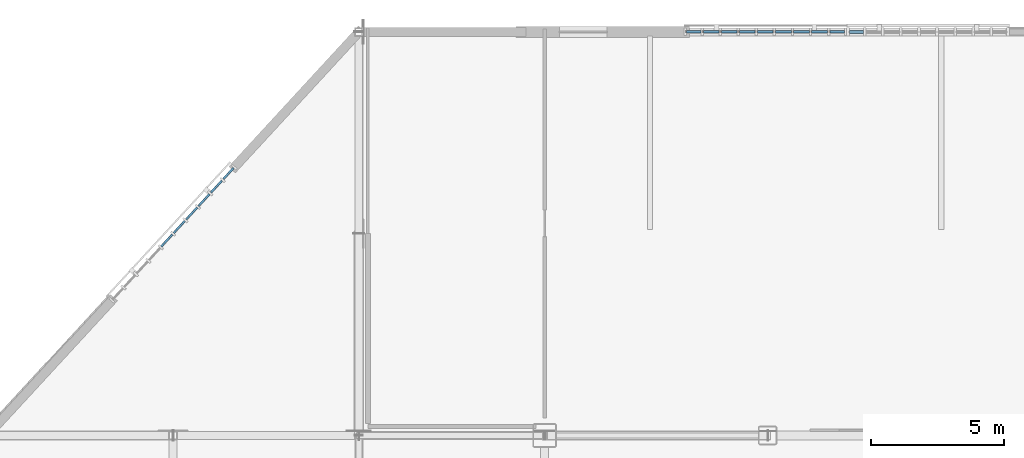
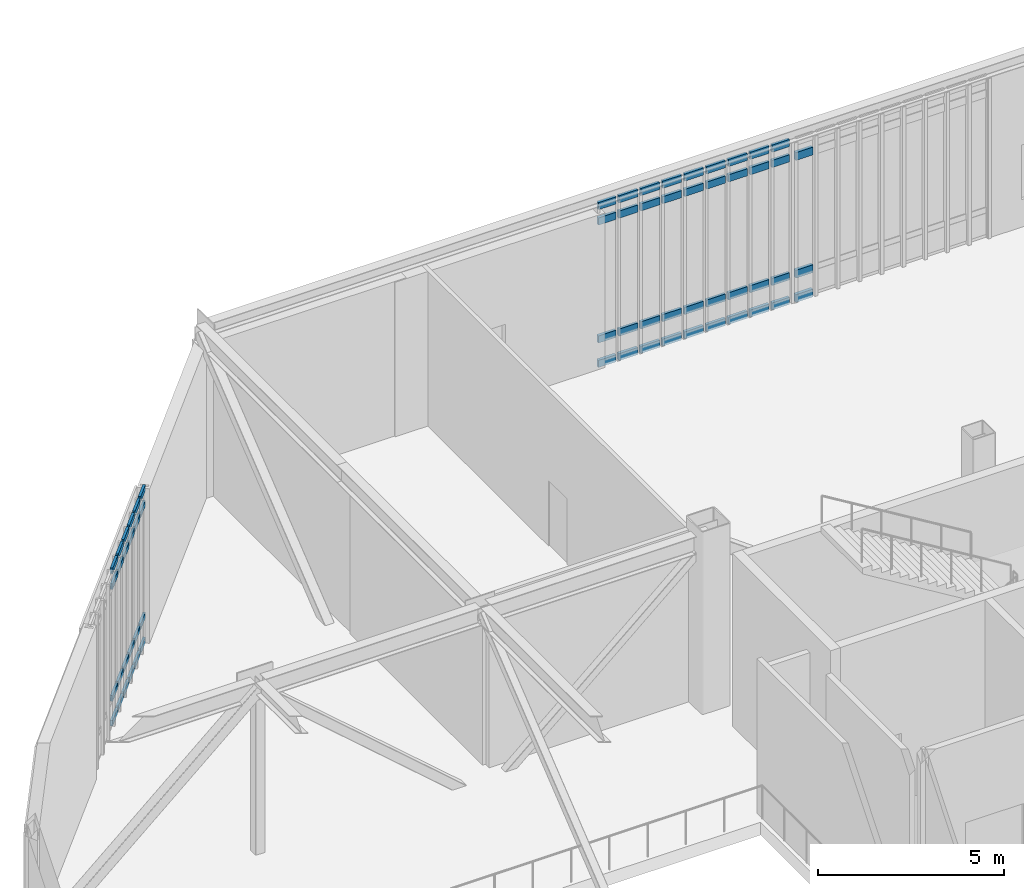
# One storey, part 54 of 135: 63 members, 3 elements without a shape of their own.
"""IFC4 building model written with IfcOpenShell, lengths in metres."""

from ifc_helpers import new_model, si_unit, direction, frame, origin, origin_2d, place, context, subcontext, project, spatial, rectangle, extrude, material, material_profile, profile_set, type_object, element, aggregate, save


model = new_model("IFC4")

# Units and contexts
model_context = context("Model", 3, precision=1e-05, world=origin(), true_north=direction((0.0, 1.0)))
body_context = subcontext(model_context, "Body", "Model", "MODEL_VIEW")
ifc_project = project(units=[si_unit("LENGTHUNIT", "METRE"), si_unit("AREAUNIT", "SQUARE_METRE"), si_unit("VOLUMEUNIT", "CUBIC_METRE"), si_unit("PLANEANGLEUNIT", "RADIAN"), si_unit("MASSUNIT", "GRAM", prefix="KILO")], contexts=[model_context])

# Site, building, storey
site_placement = place(None, origin())
site = spatial("IfcSite", under=ifc_project, at=site_placement, CompositionType="ELEMENT")
building_placement = place(site_placement, origin())
building = spatial("IfcBuilding", under=site, at=building_placement, Name="Larkvane Passage Sports Hall", CompositionType="ELEMENT")
storey_placement = place(building_placement, frame((0.0, 0.0, 10.800048828125)))
storey = spatial("IfcBuildingStorey", under=building, at=storey_placement, Name="L02", CompositionType="ELEMENT", Elevation=10.800048828125)

# Curtain wall, members
ifc_material_1 = material(Name="Thermally broken aluminium and low-E glazing", Category="aluminium")
curtain_wall_type_1 = type_object("IfcCurtainWallType", Name="CW-CLINIC", PredefinedType="USERDEFINED", material=ifc_material_1)
curtain_wall_1_placement = place(storey_placement, origin())
curtain_wall_1 = element("IfcCurtainWall", 1, at=curtain_wall_1_placement, inside=storey, type_object=curtain_wall_type_1, Name="Curtain wall CW5-L02-099", ObjectType="UNITISED CURTAIN WALL", PredefinedType="USERDEFINED")
ifc_material_2 = material(Name="Anodised aluminium 6063-T6", Category="aluminium")
ifc_material_profile_1 = material_profile(ifc_material_2, rectangle(XDim=0.10009765625, YDim=0.260009765625, at=origin_2d()), Name="ALU-TRN-100x260")
ifc_profile_set_1 = profile_set([ifc_material_profile_1], Name="Anodised aluminium 6063-T6")
member_type_1 = type_object("IfcMemberType", Name="CW-TRN-100x260", PredefinedType="USERDEFINED", material=ifc_profile_set_1)
member_1_placement = place(storey_placement, frame((46.27490234375, 106.800048828125, 0.050048828125), z_axis=(1.0, 0.0, 0.0), x_axis=(0.0, 1.0, 0.0)))
member_1 = element("IfcMember", 2, at=member_1_placement, type_object=member_type_1, Name="CW-05 transom 1.1", ObjectType="TRANSOM", PredefinedType="USERDEFINED", context=body_context, shape_type="SweptSolid", body=[
    extrude(rectangle(XDim=0.10009765625, YDim=0.260009765625, at=origin_2d()), origin(), (0.0, 0.0, 1.0), 0.53076171875),
])
member_2_placement = place(storey_placement, frame((46.27490234375, 106.800048828125, 0.849853515625), z_axis=(1.0, 0.0, 0.0), x_axis=(0.0, 1.0, 0.0)))
member_2 = element("IfcMember", 3, at=member_2_placement, type_object=member_type_1, Name="CW-05 transom 1.2", ObjectType="TRANSOM", PredefinedType="USERDEFINED", context=body_context, shape_type="SweptSolid", body=[
    extrude(rectangle(XDim=0.10009765625, YDim=0.260009765625, at=origin_2d()), origin(), (0.0, 0.0, 1.0), 0.53076171875),
])
member_3_placement = place(storey_placement, frame((46.27490234375, 106.800048828125, 4.718017578125), z_axis=(1.0, 0.0, 0.0), x_axis=(0.0, 1.0, 0.0)))
member_3 = element("IfcMember", 4, at=member_3_placement, type_object=member_type_1, Name="CW-05 transom 1.3", ObjectType="TRANSOM", PredefinedType="USERDEFINED", context=body_context, shape_type="SweptSolid", body=[
    extrude(rectangle(XDim=0.10009765625, YDim=0.260009765625, at=origin_2d()), origin(), (0.0, 0.0, 1.0), 0.53076171875),
])
aggregate(curtain_wall_1, [member_1, member_2, member_3])

curtain_wall_type_2 = type_object("IfcCurtainWallType", Name="CW-UNIT-VEIL", PredefinedType="USERDEFINED", material=ifc_material_1)
curtain_wall_2_placement = place(storey_placement, origin())
curtain_wall_2 = element("IfcCurtainWall", 5, at=curtain_wall_2_placement, inside=storey, type_object=curtain_wall_type_2, Name="Curtain wall CW5-L02-097", ObjectType="UNITISED CURTAIN WALL", PredefinedType="USERDEFINED")
ifc_material_profile_2 = material_profile(ifc_material_2, rectangle(XDim=0.074951171875, YDim=0.18505859375, at=origin_2d()), Name="ALU-TRN-75x185")
ifc_profile_set_2 = profile_set([ifc_material_profile_2], Name="Anodised aluminium 6063-T6")
member_type_2 = type_object("IfcMemberType", Name="CW-TRN-75x185", PredefinedType="USERDEFINED", material=ifc_profile_set_2)
member_4_placement = place(storey_placement, frame((20.358642578125, 98.720947265625, 0.037353515625), z_axis=(0.67768523265, 0.735352109841, 0.0), x_axis=(-0.735352109841, 0.67768523265, 0.0)))
member_4 = element("IfcMember", 6, at=member_4_placement, type_object=member_type_2, Name="CW-02 transom 5.1", ObjectType="TRANSOM", PredefinedType="USERDEFINED", context=body_context, shape_type="SweptSolid", body=[
    extrude(rectangle(XDim=0.074951171875, YDim=0.18505859375, at=origin_2d()), origin(), (0.0, 0.0, 1.0), 0.61376953125),
])
member_5_placement = place(storey_placement, frame((20.358642578125, 98.720947265625, 0.849853515625), z_axis=(0.67768523265, 0.735352109841, 0.0), x_axis=(-0.735352109841, 0.67768523265, 0.0)))
member_5 = element("IfcMember", 7, at=member_5_placement, type_object=member_type_2, Name="CW-02 transom 5.2", ObjectType="TRANSOM", PredefinedType="USERDEFINED", context=body_context, shape_type="SweptSolid", body=[
    extrude(rectangle(XDim=0.074951171875, YDim=0.18505859375, at=origin_2d()), origin(), (0.0, 0.0, 1.0), 0.61376953125),
])
member_6_placement = place(storey_placement, frame((20.358642578125, 98.720947265625, 4.530029296875), z_axis=(0.67768523265, 0.735352109841, 0.0), x_axis=(-0.735352109841, 0.67768523265, 0.0)))
member_6 = element("IfcMember", 8, at=member_6_placement, type_object=member_type_2, Name="CW-02 transom 5.3", ObjectType="TRANSOM", PredefinedType="USERDEFINED", context=body_context, shape_type="SweptSolid", body=[
    extrude(rectangle(XDim=0.074951171875, YDim=0.18505859375, at=origin_2d()), origin(), (0.0, 0.0, 1.0), 0.61376953125),
])
member_7_placement = place(storey_placement, frame((20.358642578125, 98.720947265625, 5.04248046875), z_axis=(0.67768523265, 0.735352109841, 0.0), x_axis=(-0.735352109841, 0.67768523265, 0.0)))
member_7 = element("IfcMember", 9, at=member_7_placement, type_object=member_type_2, Name="CW-02 transom 5.4", ObjectType="TRANSOM", PredefinedType="USERDEFINED", context=body_context, shape_type="SweptSolid", body=[
    extrude(rectangle(XDim=0.074951171875, YDim=0.18505859375, at=origin_2d()), origin(), (0.0, 0.0, 1.0), 0.61376953125),
])
member_8_placement = place(storey_placement, frame((20.825439453125, 99.2275390625, 0.037353515625), z_axis=(0.677470090898, 0.735550321826, 0.0), x_axis=(-0.735550321826, 0.677470090898, 0.0)))
member_8 = element("IfcMember", 10, at=member_8_placement, type_object=member_type_2, Name="CW-02 transom 6.1", ObjectType="TRANSOM", PredefinedType="USERDEFINED", context=body_context, shape_type="SweptSolid", body=[
    extrude(rectangle(XDim=0.074951171875, YDim=0.18505859375, at=origin_2d()), origin(), (0.0, 0.0, 1.0), 0.61376953125),
])
member_9_placement = place(storey_placement, frame((20.825439453125, 99.2275390625, 0.849853515625), z_axis=(0.677470090898, 0.735550321826, 0.0), x_axis=(-0.735550321826, 0.677470090898, 0.0)))
member_9 = element("IfcMember", 11, at=member_9_placement, type_object=member_type_2, Name="CW-02 transom 6.2", ObjectType="TRANSOM", PredefinedType="USERDEFINED", context=body_context, shape_type="SweptSolid", body=[
    extrude(rectangle(XDim=0.074951171875, YDim=0.18505859375, at=origin_2d()), origin(), (0.0, 0.0, 1.0), 0.61376953125),
])
member_10_placement = place(storey_placement, frame((20.825439453125, 99.2275390625, 4.530029296875), z_axis=(0.677470090898, 0.735550321826, 0.0), x_axis=(-0.735550321826, 0.677470090898, 0.0)))
member_10 = element("IfcMember", 12, at=member_10_placement, type_object=member_type_2, Name="CW-02 transom 6.3", ObjectType="TRANSOM", PredefinedType="USERDEFINED", context=body_context, shape_type="SweptSolid", body=[
    extrude(rectangle(XDim=0.074951171875, YDim=0.18505859375, at=origin_2d()), origin(), (0.0, 0.0, 1.0), 0.61376953125),
])
member_11_placement = place(storey_placement, frame((20.825439453125, 99.2275390625, 5.04248046875), z_axis=(0.677470090898, 0.735550321826, 0.0), x_axis=(-0.735550321826, 0.677470090898, 0.0)))
member_11 = element("IfcMember", 13, at=member_11_placement, type_object=member_type_2, Name="CW-02 transom 6.4", ObjectType="TRANSOM", PredefinedType="USERDEFINED", context=body_context, shape_type="SweptSolid", body=[
    extrude(rectangle(XDim=0.074951171875, YDim=0.18505859375, at=origin_2d()), origin(), (0.0, 0.0, 1.0), 0.61376953125),
])
member_12_placement = place(storey_placement, frame((21.2919921875, 99.734130859375, 0.037353515625), z_axis=(0.677487075975, 0.735534677555, 0.0), x_axis=(-0.735534677555, 0.677487075975, 0.0)))
member_12 = element("IfcMember", 14, at=member_12_placement, type_object=member_type_2, Name="CW-02 transom 7.1", ObjectType="TRANSOM", PredefinedType="USERDEFINED", context=body_context, shape_type="SweptSolid", body=[
    extrude(rectangle(XDim=0.074951171875, YDim=0.18505859375, at=origin_2d()), origin(), (0.0, 0.0, 1.0), 0.614013671875),
])
member_13_placement = place(storey_placement, frame((21.2919921875, 99.734130859375, 0.849853515625), z_axis=(0.677487075975, 0.735534677555, 0.0), x_axis=(-0.735534677555, 0.677487075975, 0.0)))
member_13 = element("IfcMember", 15, at=member_13_placement, type_object=member_type_2, Name="CW-02 transom 7.2", ObjectType="TRANSOM", PredefinedType="USERDEFINED", context=body_context, shape_type="SweptSolid", body=[
    extrude(rectangle(XDim=0.074951171875, YDim=0.18505859375, at=origin_2d()), origin(), (0.0, 0.0, 1.0), 0.614013671875),
])
member_14_placement = place(storey_placement, frame((21.2919921875, 99.734130859375, 4.530029296875), z_axis=(0.677487075975, 0.735534677555, 0.0), x_axis=(-0.735534677555, 0.677487075975, 0.0)))
member_14 = element("IfcMember", 16, at=member_14_placement, type_object=member_type_2, Name="CW-02 transom 7.3", ObjectType="TRANSOM", PredefinedType="USERDEFINED", context=body_context, shape_type="SweptSolid", body=[
    extrude(rectangle(XDim=0.074951171875, YDim=0.18505859375, at=origin_2d()), origin(), (0.0, 0.0, 1.0), 0.614013671875),
])
member_15_placement = place(storey_placement, frame((21.2919921875, 99.734130859375, 5.04248046875), z_axis=(0.677487075975, 0.735534677555, 0.0), x_axis=(-0.735534677555, 0.677487075975, 0.0)))
member_15 = element("IfcMember", 17, at=member_15_placement, type_object=member_type_2, Name="CW-02 transom 7.4", ObjectType="TRANSOM", PredefinedType="USERDEFINED", context=body_context, shape_type="SweptSolid", body=[
    extrude(rectangle(XDim=0.074951171875, YDim=0.18505859375, at=origin_2d()), origin(), (0.0, 0.0, 1.0), 0.614013671875),
])
member_16_placement = place(storey_placement, frame((21.7587890625, 100.240966796875, 0.037353515625), z_axis=(0.677470090898, 0.735550321826, 0.0), x_axis=(-0.735550321826, 0.677470090898, 0.0)))
member_16 = element("IfcMember", 18, at=member_16_placement, type_object=member_type_2, Name="CW-02 transom 8.1", ObjectType="TRANSOM", PredefinedType="USERDEFINED", context=body_context, shape_type="SweptSolid", body=[
    extrude(rectangle(XDim=0.074951171875, YDim=0.18505859375, at=origin_2d()), origin(), (0.0, 0.0, 1.0), 0.61376953125),
])
member_17_placement = place(storey_placement, frame((21.7587890625, 100.240966796875, 0.849853515625), z_axis=(0.677470090898, 0.735550321826, 0.0), x_axis=(-0.735550321826, 0.677470090898, 0.0)))
member_17 = element("IfcMember", 19, at=member_17_placement, type_object=member_type_2, Name="CW-02 transom 8.2", ObjectType="TRANSOM", PredefinedType="USERDEFINED", context=body_context, shape_type="SweptSolid", body=[
    extrude(rectangle(XDim=0.074951171875, YDim=0.18505859375, at=origin_2d()), origin(), (0.0, 0.0, 1.0), 0.61376953125),
])
member_18_placement = place(storey_placement, frame((21.7587890625, 100.240966796875, 4.530029296875), z_axis=(0.677470090898, 0.735550321826, 0.0), x_axis=(-0.735550321826, 0.677470090898, 0.0)))
member_18 = element("IfcMember", 20, at=member_18_placement, type_object=member_type_2, Name="CW-02 transom 8.3", ObjectType="TRANSOM", PredefinedType="USERDEFINED", context=body_context, shape_type="SweptSolid", body=[
    extrude(rectangle(XDim=0.074951171875, YDim=0.18505859375, at=origin_2d()), origin(), (0.0, 0.0, 1.0), 0.61376953125),
])
member_19_placement = place(storey_placement, frame((21.7587890625, 100.240966796875, 5.04248046875), z_axis=(0.677470090898, 0.735550321826, 0.0), x_axis=(-0.735550321826, 0.677470090898, 0.0)))
member_19 = element("IfcMember", 21, at=member_19_placement, type_object=member_type_2, Name="CW-02 transom 8.4", ObjectType="TRANSOM", PredefinedType="USERDEFINED", context=body_context, shape_type="SweptSolid", body=[
    extrude(rectangle(XDim=0.074951171875, YDim=0.18505859375, at=origin_2d()), origin(), (0.0, 0.0, 1.0), 0.61376953125),
])
member_20_placement = place(storey_placement, frame((22.225341796875, 100.74755859375, 0.037353515625), z_axis=(0.677470090898, 0.735550321826, 0.0), x_axis=(-0.735550321826, 0.677470090898, 0.0)))
member_20 = element("IfcMember", 22, at=member_20_placement, type_object=member_type_2, Name="CW-02 transom 9.1", ObjectType="TRANSOM", PredefinedType="USERDEFINED", context=body_context, shape_type="SweptSolid", body=[
    extrude(rectangle(XDim=0.074951171875, YDim=0.18505859375, at=origin_2d()), origin(), (0.0, 0.0, 1.0), 0.61376953125),
])
member_21_placement = place(storey_placement, frame((22.225341796875, 100.74755859375, 0.849853515625), z_axis=(0.677470090898, 0.735550321826, 0.0), x_axis=(-0.735550321826, 0.677470090898, 0.0)))
member_21 = element("IfcMember", 23, at=member_21_placement, type_object=member_type_2, Name="CW-02 transom 9.2", ObjectType="TRANSOM", PredefinedType="USERDEFINED", context=body_context, shape_type="SweptSolid", body=[
    extrude(rectangle(XDim=0.074951171875, YDim=0.18505859375, at=origin_2d()), origin(), (0.0, 0.0, 1.0), 0.61376953125),
])
member_22_placement = place(storey_placement, frame((22.225341796875, 100.74755859375, 4.530029296875), z_axis=(0.677470090898, 0.735550321826, 0.0), x_axis=(-0.735550321826, 0.677470090898, 0.0)))
member_22 = element("IfcMember", 24, at=member_22_placement, type_object=member_type_2, Name="CW-02 transom 9.3", ObjectType="TRANSOM", PredefinedType="USERDEFINED", context=body_context, shape_type="SweptSolid", body=[
    extrude(rectangle(XDim=0.074951171875, YDim=0.18505859375, at=origin_2d()), origin(), (0.0, 0.0, 1.0), 0.61376953125),
])
member_23_placement = place(storey_placement, frame((22.225341796875, 100.74755859375, 5.04248046875), z_axis=(0.677470090898, 0.735550321826, 0.0), x_axis=(-0.735550321826, 0.677470090898, 0.0)))
member_23 = element("IfcMember", 25, at=member_23_placement, type_object=member_type_2, Name="CW-02 transom 9.4", ObjectType="TRANSOM", PredefinedType="USERDEFINED", context=body_context, shape_type="SweptSolid", body=[
    extrude(rectangle(XDim=0.074951171875, YDim=0.18505859375, at=origin_2d()), origin(), (0.0, 0.0, 1.0), 0.61376953125),
])
member_24_placement = place(storey_placement, frame((22.692138671875, 101.254150390625, 0.037353515625), z_axis=(0.677276723737, 0.73572837344, 0.0), x_axis=(-0.73572837344, 0.677276723737, 0.0)))
member_24 = element("IfcMember", 26, at=member_24_placement, type_object=member_type_2, Name="CW-02 transom 10.1", ObjectType="TRANSOM", PredefinedType="USERDEFINED", context=body_context, shape_type="SweptSolid", body=[
    extrude(rectangle(XDim=0.074951171875, YDim=0.18505859375, at=origin_2d()), origin(), (0.0, 0.0, 1.0), 0.576416015625),
])
member_25_placement = place(storey_placement, frame((22.692138671875, 101.254150390625, 0.849853515625), z_axis=(0.677276723737, 0.73572837344, 0.0), x_axis=(-0.73572837344, 0.677276723737, 0.0)))
member_25 = element("IfcMember", 27, at=member_25_placement, type_object=member_type_2, Name="CW-02 transom 10.2", ObjectType="TRANSOM", PredefinedType="USERDEFINED", context=body_context, shape_type="SweptSolid", body=[
    extrude(rectangle(XDim=0.074951171875, YDim=0.18505859375, at=origin_2d()), origin(), (0.0, 0.0, 1.0), 0.576416015625),
])
member_26_placement = place(storey_placement, frame((22.692138671875, 101.254150390625, 4.530029296875), z_axis=(0.677276723737, 0.73572837344, 0.0), x_axis=(-0.73572837344, 0.677276723737, 0.0)))
member_26 = element("IfcMember", 28, at=member_26_placement, type_object=member_type_2, Name="CW-02 transom 10.3", ObjectType="TRANSOM", PredefinedType="USERDEFINED", context=body_context, shape_type="SweptSolid", body=[
    extrude(rectangle(XDim=0.074951171875, YDim=0.18505859375, at=origin_2d()), origin(), (0.0, 0.0, 1.0), 0.576416015625),
])
member_27_placement = place(storey_placement, frame((22.692138671875, 101.254150390625, 5.04248046875), z_axis=(0.677276723737, 0.73572837344, 0.0), x_axis=(-0.73572837344, 0.677276723737, 0.0)))
member_27 = element("IfcMember", 29, at=member_27_placement, type_object=member_type_2, Name="CW-02 transom 10.4", ObjectType="TRANSOM", PredefinedType="USERDEFINED", context=body_context, shape_type="SweptSolid", body=[
    extrude(rectangle(XDim=0.074951171875, YDim=0.18505859375, at=origin_2d()), origin(), (0.0, 0.0, 1.0), 0.576416015625),
])
aggregate(curtain_wall_2, [member_4, member_5, member_6, member_7, member_8, member_9, member_10, member_11, member_12, member_13, member_14, member_15, member_16, member_17, member_18, member_19, member_20, member_21, member_22, member_23, member_24, member_25, member_26, member_27])

curtain_wall_type_3 = type_object("IfcCurtainWallType", Name="CW-STICK-FOYER", PredefinedType="USERDEFINED", material=ifc_material_1)
curtain_wall_3_placement = place(storey_placement, origin())
curtain_wall_3 = element("IfcCurtainWall", 30, at=curtain_wall_3_placement, inside=storey, type_object=curtain_wall_type_3, Name="Curtain wall CW5-L02-098", ObjectType="STICK CURTAIN WALL", PredefinedType="USERDEFINED")
ifc_material_profile_3 = material_profile(ifc_material_2, rectangle(XDim=0.090087890625, YDim=0.235107421875, at=origin_2d()), Name="ALU-TRN-90x235")
ifc_profile_set_3 = profile_set([ifc_material_profile_3], Name="Anodised aluminium 6063-T6")
member_type_3 = type_object("IfcMemberType", Name="CW-TRN-90x235", PredefinedType="USERDEFINED", material=ifc_profile_set_3)
member_28_placement = place(storey_placement, frame((40.139892578125, 106.800048828125, 0.044921875), z_axis=(1.0, 0.0, 0.0), x_axis=(0.0, 1.0, 0.0)))
member_28 = element("IfcMember", 31, at=member_28_placement, type_object=member_type_3, Name="CW-03 transom 1.1", ObjectType="TRANSOM", PredefinedType="USERDEFINED", context=body_context, shape_type="SweptSolid", body=[
    extrude(rectangle(XDim=0.090087890625, YDim=0.235107421875, at=origin_2d()), origin(), (0.0, 0.0, 1.0), 0.545654296875),
])
member_29_placement = place(storey_placement, frame((40.139892578125, 106.800048828125, 0.849853515625), z_axis=(1.0, 0.0, 0.0), x_axis=(0.0, 1.0, 0.0)))
member_29 = element("IfcMember", 32, at=member_29_placement, type_object=member_type_3, Name="CW-03 transom 1.2", ObjectType="TRANSOM", PredefinedType="USERDEFINED", context=body_context, shape_type="SweptSolid", body=[
    extrude(rectangle(XDim=0.090087890625, YDim=0.235107421875, at=origin_2d()), origin(), (0.0, 0.0, 1.0), 0.545654296875),
])
member_30_placement = place(storey_placement, frame((40.139892578125, 106.800048828125, 4.72802734375), z_axis=(1.0, 0.0, 0.0), x_axis=(0.0, 1.0, 0.0)))
member_30 = element("IfcMember", 33, at=member_30_placement, type_object=member_type_3, Name="CW-03 transom 1.3", ObjectType="TRANSOM", PredefinedType="USERDEFINED", context=body_context, shape_type="SweptSolid", body=[
    extrude(rectangle(XDim=0.090087890625, YDim=0.235107421875, at=origin_2d()), origin(), (0.0, 0.0, 1.0), 0.545654296875),
])
member_31_placement = place(storey_placement, frame((40.139892578125, 106.800048828125, 5.23291015625), z_axis=(1.0, 0.0, 0.0), x_axis=(0.0, 1.0, 0.0)))
member_31 = element("IfcMember", 34, at=member_31_placement, type_object=member_type_3, Name="CW-03 transom 1.4", ObjectType="TRANSOM", PredefinedType="USERDEFINED", context=body_context, shape_type="SweptSolid", body=[
    extrude(rectangle(XDim=0.090087890625, YDim=0.235107421875, at=origin_2d()), origin(), (0.0, 0.0, 1.0), 0.545654296875),
])
member_32_placement = place(storey_placement, frame((40.775634765625, 106.800048828125, 0.044921875), z_axis=(1.0, 0.0, 0.0), x_axis=(0.0, 1.0, 0.0)))
member_32 = element("IfcMember", 35, at=member_32_placement, type_object=member_type_3, Name="CW-03 transom 2.1", ObjectType="TRANSOM", PredefinedType="USERDEFINED", context=body_context, shape_type="SweptSolid", body=[
    extrude(rectangle(XDim=0.090087890625, YDim=0.235107421875, at=origin_2d()), origin(), (0.0, 0.0, 1.0), 0.590576171875),
])
member_33_placement = place(storey_placement, frame((40.775634765625, 106.800048828125, 0.849853515625), z_axis=(1.0, 0.0, 0.0), x_axis=(0.0, 1.0, 0.0)))
member_33 = element("IfcMember", 36, at=member_33_placement, type_object=member_type_3, Name="CW-03 transom 2.2", ObjectType="TRANSOM", PredefinedType="USERDEFINED", context=body_context, shape_type="SweptSolid", body=[
    extrude(rectangle(XDim=0.090087890625, YDim=0.235107421875, at=origin_2d()), origin(), (0.0, 0.0, 1.0), 0.590576171875),
])
member_34_placement = place(storey_placement, frame((40.775634765625, 106.800048828125, 4.72802734375), z_axis=(1.0, 0.0, 0.0), x_axis=(0.0, 1.0, 0.0)))
member_34 = element("IfcMember", 37, at=member_34_placement, type_object=member_type_3, Name="CW-03 transom 2.3", ObjectType="TRANSOM", PredefinedType="USERDEFINED", context=body_context, shape_type="SweptSolid", body=[
    extrude(rectangle(XDim=0.090087890625, YDim=0.235107421875, at=origin_2d()), origin(), (0.0, 0.0, 1.0), 0.590576171875),
])
member_35_placement = place(storey_placement, frame((40.775634765625, 106.800048828125, 5.23291015625), z_axis=(1.0, 0.0, 0.0), x_axis=(0.0, 1.0, 0.0)))
member_35 = element("IfcMember", 38, at=member_35_placement, type_object=member_type_3, Name="CW-03 transom 2.4", ObjectType="TRANSOM", PredefinedType="USERDEFINED", context=body_context, shape_type="SweptSolid", body=[
    extrude(rectangle(XDim=0.090087890625, YDim=0.235107421875, at=origin_2d()), origin(), (0.0, 0.0, 1.0), 0.590576171875),
])
member_36_placement = place(storey_placement, frame((41.4560546875, 106.800048828125, 0.044921875), z_axis=(1.0, 0.0, 0.0), x_axis=(0.0, 1.0, 0.0)))
member_36 = element("IfcMember", 39, at=member_36_placement, type_object=member_type_3, Name="CW-03 transom 3.1", ObjectType="TRANSOM", PredefinedType="USERDEFINED", context=body_context, shape_type="SweptSolid", body=[
    extrude(rectangle(XDim=0.090087890625, YDim=0.235107421875, at=origin_2d()), origin(), (0.0, 0.0, 1.0), 0.590576171875),
])
member_37_placement = place(storey_placement, frame((41.4560546875, 106.800048828125, 0.849853515625), z_axis=(1.0, 0.0, 0.0), x_axis=(0.0, 1.0, 0.0)))
member_37 = element("IfcMember", 40, at=member_37_placement, type_object=member_type_3, Name="CW-03 transom 3.2", ObjectType="TRANSOM", PredefinedType="USERDEFINED", context=body_context, shape_type="SweptSolid", body=[
    extrude(rectangle(XDim=0.090087890625, YDim=0.235107421875, at=origin_2d()), origin(), (0.0, 0.0, 1.0), 0.590576171875),
])
member_38_placement = place(storey_placement, frame((41.4560546875, 106.800048828125, 4.72802734375), z_axis=(1.0, 0.0, 0.0), x_axis=(0.0, 1.0, 0.0)))
member_38 = element("IfcMember", 41, at=member_38_placement, type_object=member_type_3, Name="CW-03 transom 3.3", ObjectType="TRANSOM", PredefinedType="USERDEFINED", context=body_context, shape_type="SweptSolid", body=[
    extrude(rectangle(XDim=0.090087890625, YDim=0.235107421875, at=origin_2d()), origin(), (0.0, 0.0, 1.0), 0.590576171875),
])
member_39_placement = place(storey_placement, frame((41.4560546875, 106.800048828125, 5.23291015625), z_axis=(1.0, 0.0, 0.0), x_axis=(0.0, 1.0, 0.0)))
member_39 = element("IfcMember", 42, at=member_39_placement, type_object=member_type_3, Name="CW-03 transom 3.4", ObjectType="TRANSOM", PredefinedType="USERDEFINED", context=body_context, shape_type="SweptSolid", body=[
    extrude(rectangle(XDim=0.090087890625, YDim=0.235107421875, at=origin_2d()), origin(), (0.0, 0.0, 1.0), 0.590576171875),
])
member_40_placement = place(storey_placement, frame((42.13671875, 106.800048828125, 0.044921875), z_axis=(1.0, 0.0, 0.0), x_axis=(0.0, 1.0, 0.0)))
member_40 = element("IfcMember", 43, at=member_40_placement, type_object=member_type_3, Name="CW-03 transom 4.1", ObjectType="TRANSOM", PredefinedType="USERDEFINED", context=body_context, shape_type="SweptSolid", body=[
    extrude(rectangle(XDim=0.090087890625, YDim=0.235107421875, at=origin_2d()), origin(), (0.0, 0.0, 1.0), 0.590576171875),
])
member_41_placement = place(storey_placement, frame((42.13671875, 106.800048828125, 0.849853515625), z_axis=(1.0, 0.0, 0.0), x_axis=(0.0, 1.0, 0.0)))
member_41 = element("IfcMember", 44, at=member_41_placement, type_object=member_type_3, Name="CW-03 transom 4.2", ObjectType="TRANSOM", PredefinedType="USERDEFINED", context=body_context, shape_type="SweptSolid", body=[
    extrude(rectangle(XDim=0.090087890625, YDim=0.235107421875, at=origin_2d()), origin(), (0.0, 0.0, 1.0), 0.590576171875),
])
member_42_placement = place(storey_placement, frame((42.13671875, 106.800048828125, 4.72802734375), z_axis=(1.0, 0.0, 0.0), x_axis=(0.0, 1.0, 0.0)))
member_42 = element("IfcMember", 45, at=member_42_placement, type_object=member_type_3, Name="CW-03 transom 4.3", ObjectType="TRANSOM", PredefinedType="USERDEFINED", context=body_context, shape_type="SweptSolid", body=[
    extrude(rectangle(XDim=0.090087890625, YDim=0.235107421875, at=origin_2d()), origin(), (0.0, 0.0, 1.0), 0.590576171875),
])
member_43_placement = place(storey_placement, frame((42.13671875, 106.800048828125, 5.23291015625), z_axis=(1.0, 0.0, 0.0), x_axis=(0.0, 1.0, 0.0)))
member_43 = element("IfcMember", 46, at=member_43_placement, type_object=member_type_3, Name="CW-03 transom 4.4", ObjectType="TRANSOM", PredefinedType="USERDEFINED", context=body_context, shape_type="SweptSolid", body=[
    extrude(rectangle(XDim=0.090087890625, YDim=0.235107421875, at=origin_2d()), origin(), (0.0, 0.0, 1.0), 0.590576171875),
])
member_44_placement = place(storey_placement, frame((42.817138671875, 106.800048828125, 0.044921875), z_axis=(1.0, 0.0, 0.0), x_axis=(0.0, 1.0, 0.0)))
member_44 = element("IfcMember", 47, at=member_44_placement, type_object=member_type_3, Name="CW-03 transom 5.1", ObjectType="TRANSOM", PredefinedType="USERDEFINED", context=body_context, shape_type="SweptSolid", body=[
    extrude(rectangle(XDim=0.090087890625, YDim=0.235107421875, at=origin_2d()), origin(), (0.0, 0.0, 1.0), 0.590576171875),
])
member_45_placement = place(storey_placement, frame((42.817138671875, 106.800048828125, 0.849853515625), z_axis=(1.0, 0.0, 0.0), x_axis=(0.0, 1.0, 0.0)))
member_45 = element("IfcMember", 48, at=member_45_placement, type_object=member_type_3, Name="CW-03 transom 5.2", ObjectType="TRANSOM", PredefinedType="USERDEFINED", context=body_context, shape_type="SweptSolid", body=[
    extrude(rectangle(XDim=0.090087890625, YDim=0.235107421875, at=origin_2d()), origin(), (0.0, 0.0, 1.0), 0.590576171875),
])
member_46_placement = place(storey_placement, frame((42.817138671875, 106.800048828125, 4.72802734375), z_axis=(1.0, 0.0, 0.0), x_axis=(0.0, 1.0, 0.0)))
member_46 = element("IfcMember", 49, at=member_46_placement, type_object=member_type_3, Name="CW-03 transom 5.3", ObjectType="TRANSOM", PredefinedType="USERDEFINED", context=body_context, shape_type="SweptSolid", body=[
    extrude(rectangle(XDim=0.090087890625, YDim=0.235107421875, at=origin_2d()), origin(), (0.0, 0.0, 1.0), 0.590576171875),
])
member_47_placement = place(storey_placement, frame((42.817138671875, 106.800048828125, 5.23291015625), z_axis=(1.0, 0.0, 0.0), x_axis=(0.0, 1.0, 0.0)))
member_47 = element("IfcMember", 50, at=member_47_placement, type_object=member_type_3, Name="CW-03 transom 5.4", ObjectType="TRANSOM", PredefinedType="USERDEFINED", context=body_context, shape_type="SweptSolid", body=[
    extrude(rectangle(XDim=0.090087890625, YDim=0.235107421875, at=origin_2d()), origin(), (0.0, 0.0, 1.0), 0.590576171875),
])
member_48_placement = place(storey_placement, frame((43.497802734375, 106.800048828125, 0.044921875), z_axis=(1.0, 0.0, 0.0), x_axis=(0.0, 1.0, 0.0)))
member_48 = element("IfcMember", 51, at=member_48_placement, type_object=member_type_3, Name="CW-03 transom 6.1", ObjectType="TRANSOM", PredefinedType="USERDEFINED", context=body_context, shape_type="SweptSolid", body=[
    extrude(rectangle(XDim=0.090087890625, YDim=0.235107421875, at=origin_2d()), origin(), (0.0, 0.0, 1.0), 0.590576171875),
])
member_49_placement = place(storey_placement, frame((43.497802734375, 106.800048828125, 0.849853515625), z_axis=(1.0, 0.0, 0.0), x_axis=(0.0, 1.0, 0.0)))
member_49 = element("IfcMember", 52, at=member_49_placement, type_object=member_type_3, Name="CW-03 transom 6.2", ObjectType="TRANSOM", PredefinedType="USERDEFINED", context=body_context, shape_type="SweptSolid", body=[
    extrude(rectangle(XDim=0.090087890625, YDim=0.235107421875, at=origin_2d()), origin(), (0.0, 0.0, 1.0), 0.590576171875),
])
member_50_placement = place(storey_placement, frame((43.497802734375, 106.800048828125, 4.72802734375), z_axis=(1.0, 0.0, 0.0), x_axis=(0.0, 1.0, 0.0)))
member_50 = element("IfcMember", 53, at=member_50_placement, type_object=member_type_3, Name="CW-03 transom 6.3", ObjectType="TRANSOM", PredefinedType="USERDEFINED", context=body_context, shape_type="SweptSolid", body=[
    extrude(rectangle(XDim=0.090087890625, YDim=0.235107421875, at=origin_2d()), origin(), (0.0, 0.0, 1.0), 0.590576171875),
])
member_51_placement = place(storey_placement, frame((43.497802734375, 106.800048828125, 5.23291015625), z_axis=(1.0, 0.0, 0.0), x_axis=(0.0, 1.0, 0.0)))
member_51 = element("IfcMember", 54, at=member_51_placement, type_object=member_type_3, Name="CW-03 transom 6.4", ObjectType="TRANSOM", PredefinedType="USERDEFINED", context=body_context, shape_type="SweptSolid", body=[
    extrude(rectangle(XDim=0.090087890625, YDim=0.235107421875, at=origin_2d()), origin(), (0.0, 0.0, 1.0), 0.590576171875),
])
member_52_placement = place(storey_placement, frame((44.17822265625, 106.800048828125, 0.044921875), z_axis=(1.0, 0.0, 0.0), x_axis=(0.0, 1.0, 0.0)))
member_52 = element("IfcMember", 55, at=member_52_placement, type_object=member_type_3, Name="CW-03 transom 7.1", ObjectType="TRANSOM", PredefinedType="USERDEFINED", context=body_context, shape_type="SweptSolid", body=[
    extrude(rectangle(XDim=0.090087890625, YDim=0.235107421875, at=origin_2d()), origin(), (0.0, 0.0, 1.0), 0.590576171875),
])
member_53_placement = place(storey_placement, frame((44.17822265625, 106.800048828125, 0.849853515625), z_axis=(1.0, 0.0, 0.0), x_axis=(0.0, 1.0, 0.0)))
member_53 = element("IfcMember", 56, at=member_53_placement, type_object=member_type_3, Name="CW-03 transom 7.2", ObjectType="TRANSOM", PredefinedType="USERDEFINED", context=body_context, shape_type="SweptSolid", body=[
    extrude(rectangle(XDim=0.090087890625, YDim=0.235107421875, at=origin_2d()), origin(), (0.0, 0.0, 1.0), 0.590576171875),
])
member_54_placement = place(storey_placement, frame((44.17822265625, 106.800048828125, 4.72802734375), z_axis=(1.0, 0.0, 0.0), x_axis=(0.0, 1.0, 0.0)))
member_54 = element("IfcMember", 57, at=member_54_placement, type_object=member_type_3, Name="CW-03 transom 7.3", ObjectType="TRANSOM", PredefinedType="USERDEFINED", context=body_context, shape_type="SweptSolid", body=[
    extrude(rectangle(XDim=0.090087890625, YDim=0.235107421875, at=origin_2d()), origin(), (0.0, 0.0, 1.0), 0.590576171875),
])
member_55_placement = place(storey_placement, frame((44.17822265625, 106.800048828125, 5.23291015625), z_axis=(1.0, 0.0, 0.0), x_axis=(0.0, 1.0, 0.0)))
member_55 = element("IfcMember", 58, at=member_55_placement, type_object=member_type_3, Name="CW-03 transom 7.4", ObjectType="TRANSOM", PredefinedType="USERDEFINED", context=body_context, shape_type="SweptSolid", body=[
    extrude(rectangle(XDim=0.090087890625, YDim=0.235107421875, at=origin_2d()), origin(), (0.0, 0.0, 1.0), 0.590576171875),
])
member_56_placement = place(storey_placement, frame((44.85888671875, 106.800048828125, 0.044921875), z_axis=(1.0, 0.0, 0.0), x_axis=(0.0, 1.0, 0.0)))
member_56 = element("IfcMember", 59, at=member_56_placement, type_object=member_type_3, Name="CW-03 transom 8.1", ObjectType="TRANSOM", PredefinedType="USERDEFINED", context=body_context, shape_type="SweptSolid", body=[
    extrude(rectangle(XDim=0.090087890625, YDim=0.235107421875, at=origin_2d()), origin(), (0.0, 0.0, 1.0), 0.590576171875),
])
member_57_placement = place(storey_placement, frame((44.85888671875, 106.800048828125, 0.849853515625), z_axis=(1.0, 0.0, 0.0), x_axis=(0.0, 1.0, 0.0)))
member_57 = element("IfcMember", 60, at=member_57_placement, type_object=member_type_3, Name="CW-03 transom 8.2", ObjectType="TRANSOM", PredefinedType="USERDEFINED", context=body_context, shape_type="SweptSolid", body=[
    extrude(rectangle(XDim=0.090087890625, YDim=0.235107421875, at=origin_2d()), origin(), (0.0, 0.0, 1.0), 0.590576171875),
])
member_58_placement = place(storey_placement, frame((44.85888671875, 106.800048828125, 4.72802734375), z_axis=(1.0, 0.0, 0.0), x_axis=(0.0, 1.0, 0.0)))
member_58 = element("IfcMember", 61, at=member_58_placement, type_object=member_type_3, Name="CW-03 transom 8.3", ObjectType="TRANSOM", PredefinedType="USERDEFINED", context=body_context, shape_type="SweptSolid", body=[
    extrude(rectangle(XDim=0.090087890625, YDim=0.235107421875, at=origin_2d()), origin(), (0.0, 0.0, 1.0), 0.590576171875),
])
member_59_placement = place(storey_placement, frame((44.85888671875, 106.800048828125, 5.23291015625), z_axis=(1.0, 0.0, 0.0), x_axis=(0.0, 1.0, 0.0)))
member_59 = element("IfcMember", 62, at=member_59_placement, type_object=member_type_3, Name="CW-03 transom 8.4", ObjectType="TRANSOM", PredefinedType="USERDEFINED", context=body_context, shape_type="SweptSolid", body=[
    extrude(rectangle(XDim=0.090087890625, YDim=0.235107421875, at=origin_2d()), origin(), (0.0, 0.0, 1.0), 0.590576171875),
])
member_60_placement = place(storey_placement, frame((45.53955078125, 106.800048828125, 0.044921875), z_axis=(1.0, 0.0, 0.0), x_axis=(0.0, 1.0, 0.0)))
member_60 = element("IfcMember", 63, at=member_60_placement, type_object=member_type_3, Name="CW-03 transom 9.1", ObjectType="TRANSOM", PredefinedType="USERDEFINED", context=body_context, shape_type="SweptSolid", body=[
    extrude(rectangle(XDim=0.090087890625, YDim=0.235107421875, at=origin_2d()), origin(), (0.0, 0.0, 1.0), 0.54541015625),
])
member_61_placement = place(storey_placement, frame((45.53955078125, 106.800048828125, 0.849853515625), z_axis=(1.0, 0.0, 0.0), x_axis=(0.0, 1.0, 0.0)))
member_61 = element("IfcMember", 64, at=member_61_placement, type_object=member_type_3, Name="CW-03 transom 9.2", ObjectType="TRANSOM", PredefinedType="USERDEFINED", context=body_context, shape_type="SweptSolid", body=[
    extrude(rectangle(XDim=0.090087890625, YDim=0.235107421875, at=origin_2d()), origin(), (0.0, 0.0, 1.0), 0.54541015625),
])
member_62_placement = place(storey_placement, frame((45.53955078125, 106.800048828125, 4.72802734375), z_axis=(1.0, 0.0, 0.0), x_axis=(0.0, 1.0, 0.0)))
member_62 = element("IfcMember", 65, at=member_62_placement, type_object=member_type_3, Name="CW-03 transom 9.3", ObjectType="TRANSOM", PredefinedType="USERDEFINED", context=body_context, shape_type="SweptSolid", body=[
    extrude(rectangle(XDim=0.090087890625, YDim=0.235107421875, at=origin_2d()), origin(), (0.0, 0.0, 1.0), 0.54541015625),
])
member_63_placement = place(storey_placement, frame((45.53955078125, 106.800048828125, 5.23291015625), z_axis=(1.0, 0.0, 0.0), x_axis=(0.0, 1.0, 0.0)))
member_63 = element("IfcMember", 66, at=member_63_placement, type_object=member_type_3, Name="CW-03 transom 9.4", ObjectType="TRANSOM", PredefinedType="USERDEFINED", context=body_context, shape_type="SweptSolid", body=[
    extrude(rectangle(XDim=0.090087890625, YDim=0.235107421875, at=origin_2d()), origin(), (0.0, 0.0, 1.0), 0.54541015625),
])
aggregate(curtain_wall_3, [member_28, member_29, member_30, member_31, member_32, member_33, member_34, member_35, member_36, member_37, member_38, member_39, member_40, member_41, member_42, member_43, member_44, member_45, member_46, member_47, member_48, member_49, member_50, member_51, member_52, member_53, member_54, member_55, member_56, member_57, member_58, member_59, member_60, member_61, member_62, member_63])

save(model, "model.ifc")
